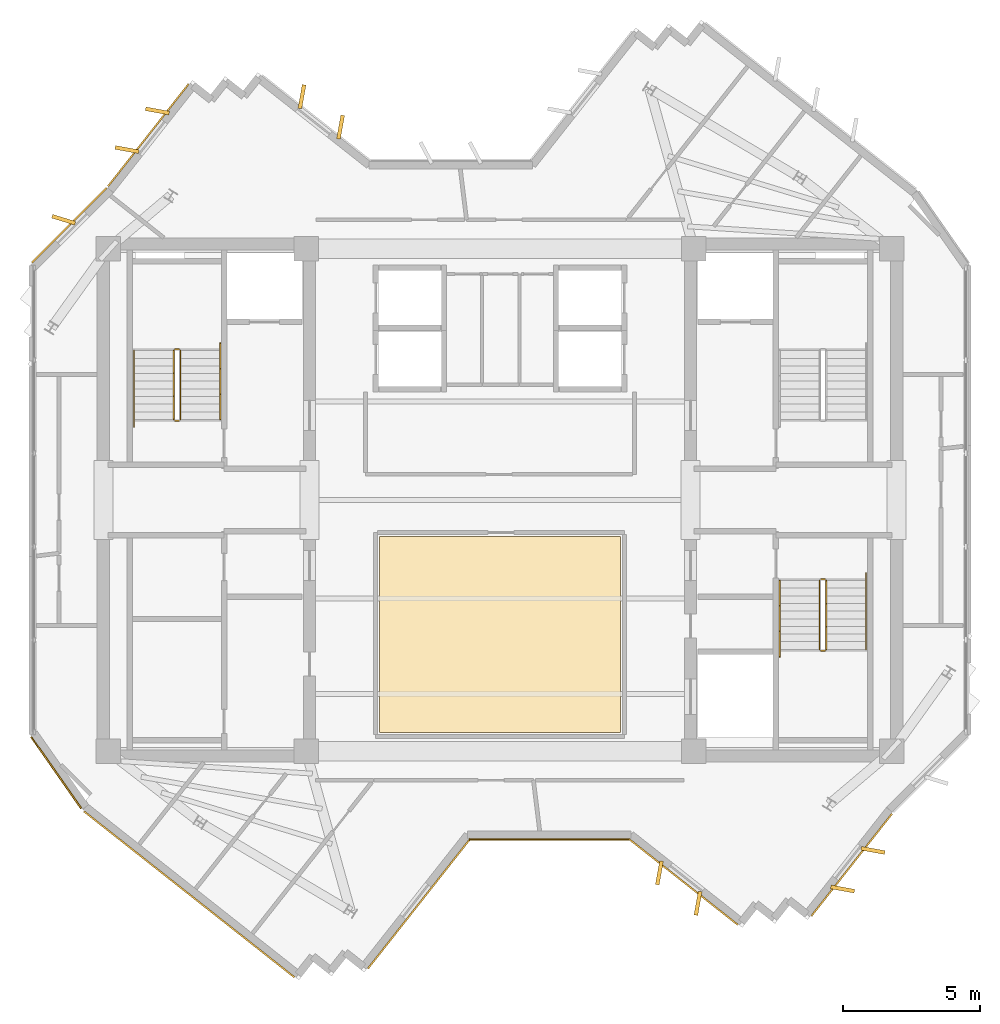
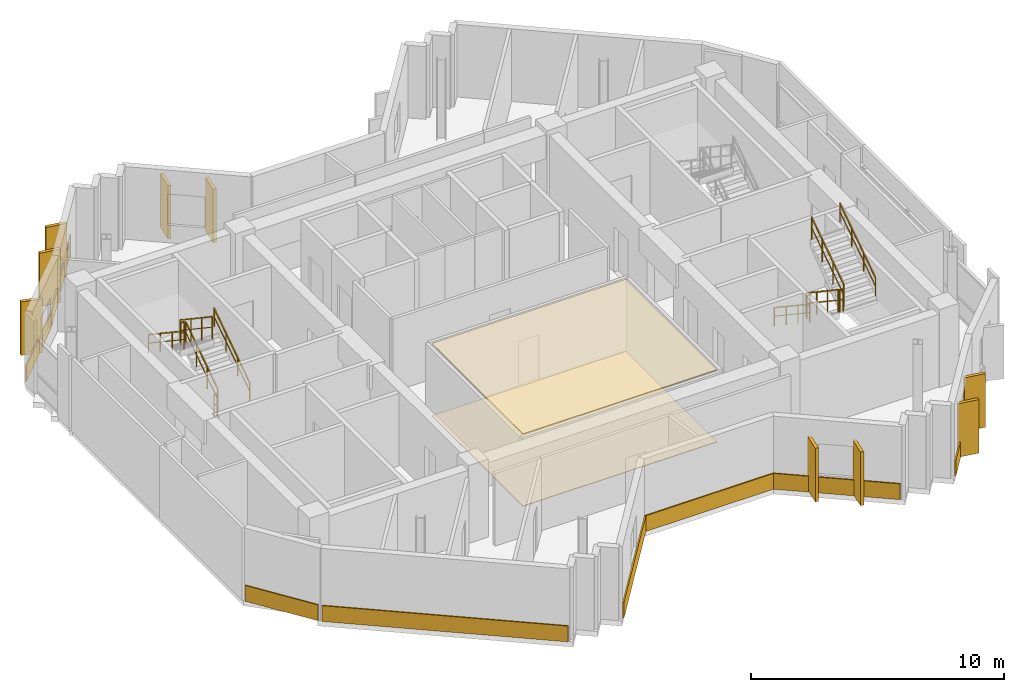
# One storey, part 9 of 10: 19 coverings, 12 railings.
"""IFC4 building model written with IfcOpenShell, lengths in metres."""

from ifc_helpers import new_model, si_unit, direction, frame, origin, origin_2d, place, context, subcontext, project, spatial, polyline, rectangle, outline, extrude, source, transform, mapped, material, layer, layer_set, type_object, element, save


model = new_model("IFC4")

# Units and contexts
model_context = context("Model", 3, precision=1e-05, world=origin(), true_north=direction((0.0, 1.0)))
body_context = subcontext(model_context, "Body", "Model", "MODEL_VIEW")
ifc_project = project(units=[si_unit("LENGTHUNIT", "METRE"), si_unit("AREAUNIT", "SQUARE_METRE"), si_unit("VOLUMEUNIT", "CUBIC_METRE"), si_unit("PLANEANGLEUNIT", "RADIAN"), si_unit("MASSUNIT", "GRAM", prefix="KILO")], contexts=[model_context])

# Site, building, storey
site_placement = place(None, origin())
site = spatial("IfcSite", under=ifc_project, at=site_placement, CompositionType="ELEMENT")
building_placement = place(site_placement, origin())
building = spatial("IfcBuilding", under=site, at=building_placement, Name="Zahravan Cultural Tower", CompositionType="ELEMENT")
storey_placement = place(building_placement, frame((0.0, 0.0, 323.550048828125)))
storey = spatial("IfcBuildingStorey", under=building, at=storey_placement, Name="L78", CompositionType="ELEMENT", Elevation=323.550048828125)

# Coverings
ifc_material_1 = material(Name="Acoustic mineral fibreboard")
ifc_layer_1 = layer(ifc_material_1, 0.0400390625)
ifc_layer_set_1 = layer_set([ifc_layer_1], Name="Acoustic mineral fibreboard")
covering_type_1 = type_object("IfcCoveringType", Name="COV-CEIL-AC20", PredefinedType="CEILING", material=ifc_layer_set_1)
covering_1_placement = place(storey_placement, frame((0.0, 0.0, 3.4599609375)))
element("IfcCovering", 1, at=covering_1_placement, inside=storey, type_object=covering_type_1, Name="L78 Acoustic Suspended Ceiling", PredefinedType="CEILING", context=body_context, shape_type="SweptSolid", body=[
    extrude(outline(polyline([(40.419921875, 25.669921875), (31.580078125, 25.669921875), (31.580078125, 18.47998046875), (40.419921875, 18.47998046875), (40.419921875, 25.669921875)])), origin(), (0.0, 0.0, 1.0), 0.0400390625),
])
ifc_material_2 = material(Name="Terrazzo flooring")
ifc_layer_2 = layer(ifc_material_2, 0.02490234375)
ifc_layer_set_2 = layer_set([ifc_layer_2], Name="Terrazzo flooring")
covering_type_2 = type_object("IfcCoveringType", Name="COV-FLR-TZ25", PredefinedType="FLOORING", material=ifc_layer_set_2)
covering_2_placement = place(storey_placement, origin())
element("IfcCovering", 2, at=covering_2_placement, inside=storey, type_object=covering_type_2, Name="L78 Polished Terrazzo Flooring", PredefinedType="FLOORING", context=body_context, shape_type="SweptSolid", body=[
    extrude(outline(polyline([(40.419921875, 25.669921875), (31.580078125, 25.669921875), (31.580078125, 18.47998046875), (40.419921875, 18.47998046875), (40.419921875, 25.669921875)])), origin(), (0.0, 0.0, 1.0), 0.02490234375),
])

# Railings
ifc_material_3 = material(Name="Steel ASTM A572 Grade 50", Category="steel")
railing_type_1 = type_object("IfcRailingType", Name="RL-STAIR-GRD1150", PredefinedType="BALUSTRADE", material=ifc_material_3)
railing_1_placement = place(storey_placement, frame((24.300048828125, 29.949951171875, 0.1875)))
element("IfcRailing", 3, at=railing_1_placement, inside=storey, type_object=railing_type_1, Name="L78 ST-W1 stair guard 1", PredefinedType="BALUSTRADE", context=body_context, shape_type="SweptSolid", body=[
    extrude(rectangle(XDim=0.05, YDim=0.05, at=origin_2d()), frame((0.0, 0.0, 1.0751953125), z_axis=(0.0, 0.830909170722, 0.55640807867), x_axis=(-1.0, 0.0, 0.0)), (0.0, 0.0, 1.0), 3.032958984375),
    extrude(rectangle(XDim=0.032, YDim=0.032, at=origin_2d()), frame((0.0, 0.0, 0.572021484375), z_axis=(0.0, 0.830909170722, 0.55640807867), x_axis=(-1.0, 0.0, 0.0)), (0.0, 0.0, 1.0), 3.032958984375),
    extrude(rectangle(XDim=0.04, YDim=0.04, at=origin_2d()), origin(), (0.0, 0.0, 1.0), 1.10009765625),
    extrude(rectangle(XDim=0.04, YDim=0.04, at=origin_2d()), frame((0.0, 0.840087890625, 0.5625)), (0.0, 0.0, 1.0), 1.10009765625),
    extrude(rectangle(XDim=0.04, YDim=0.04, at=origin_2d()), frame((0.0, 1.679931640625, 1.125)), (0.0, 0.0, 1.0), 1.10009765625),
    extrude(rectangle(XDim=0.04, YDim=0.04, at=origin_2d()), frame((0.0, 2.52001953125, 1.6875)), (0.0, 0.0, 1.0), 1.10009765625),
])
railing_2_placement = place(storey_placement, frame((24.25, 32.52001953125, 1.875)))
element("IfcRailing", 4, at=railing_2_placement, inside=storey, type_object=railing_type_1, Name="L78 ST-W1 stair guard 2", PredefinedType="BALUSTRADE", context=body_context, shape_type="SweptSolid", body=[
    extrude(rectangle(XDim=0.05, YDim=0.05, at=origin_2d()), frame((0.0, 0.0, 1.0751953125), z_axis=(-1.0, 0.0, 0.0), x_axis=(0.0, -1.0, 0.0)), (0.0, 0.0, 1.0), 0.14990234375),
    extrude(rectangle(XDim=0.032, YDim=0.032, at=origin_2d()), frame((0.0, 0.0, 0.572021484375), z_axis=(-1.0, 0.0, 0.0), x_axis=(0.0, -1.0, 0.0)), (0.0, 0.0, 1.0), 0.14990234375),
    extrude(rectangle(XDim=0.04, YDim=0.04, at=origin_2d()), origin(), (0.0, 0.0, 1.0), 1.10009765625),
    extrude(rectangle(XDim=0.04, YDim=0.04, at=origin_2d()), frame((-0.14990234375, 0.0, 0.0)), (0.0, 0.0, 1.0), 1.10009765625),
])
railing_3_placement = place(storey_placement, frame((24.050048828125, 32.469970703125, 2.0625)))
element("IfcRailing", 5, at=railing_3_placement, inside=storey, type_object=railing_type_1, Name="L78 ST-W1 stair guard 3", PredefinedType="BALUSTRADE", context=body_context, shape_type="SweptSolid", body=[
    extrude(rectangle(XDim=0.05, YDim=0.05, at=origin_2d()), frame((0.0, 0.0, 1.0751953125), z_axis=(0.0, -0.830909170722, 0.55640807867), x_axis=(1.0, 0.0, 0.0)), (0.0, 0.0, 1.0), 3.032958984375),
    extrude(rectangle(XDim=0.032, YDim=0.032, at=origin_2d()), frame((0.0, 0.0, 0.572021484375), z_axis=(0.0, -0.830909170722, 0.55640807867), x_axis=(1.0, 0.0, 0.0)), (0.0, 0.0, 1.0), 3.032958984375),
    extrude(rectangle(XDim=0.04, YDim=0.04, at=origin_2d()), origin(), (0.0, 0.0, 1.0), 1.10009765625),
    extrude(rectangle(XDim=0.04, YDim=0.04, at=origin_2d()), frame((0.0, -0.840087890625, 0.5625)), (0.0, 0.0, 1.0), 1.10009765625),
    extrude(rectangle(XDim=0.04, YDim=0.04, at=origin_2d()), frame((0.0, -1.679931640625, 1.125)), (0.0, 0.0, 1.0), 1.10009765625),
    extrude(rectangle(XDim=0.04, YDim=0.04, at=origin_2d()), frame((0.0, -2.52001953125, 1.6875)), (0.0, 0.0, 1.0), 1.10009765625),
])
railing_4_placement = place(storey_placement, frame((24.25, 29.89990234375, 0.0)))
element("IfcRailing", 6, at=railing_4_placement, inside=storey, type_object=railing_type_1, Name="L78 ST-W1 stair guard 4", PredefinedType="BALUSTRADE", context=body_context, shape_type="SweptSolid", body=[
    extrude(rectangle(XDim=0.05, YDim=0.05, at=origin_2d()), frame((0.0, 0.0, 1.0751953125), z_axis=(-1.0, 0.0, 0.0), x_axis=(0.0, -1.0, 0.0)), (0.0, 0.0, 1.0), 0.14990234375),
    extrude(rectangle(XDim=0.032, YDim=0.032, at=origin_2d()), frame((0.0, 0.0, 0.572021484375), z_axis=(-1.0, 0.0, 0.0), x_axis=(0.0, -1.0, 0.0)), (0.0, 0.0, 1.0), 0.14990234375),
    extrude(rectangle(XDim=0.04, YDim=0.04, at=origin_2d()), origin(), (0.0, 0.0, 1.0), 1.10009765625),
    extrude(rectangle(XDim=0.04, YDim=0.04, at=origin_2d()), frame((-0.14990234375, 0.0, 0.0)), (0.0, 0.0, 1.0), 1.10009765625),
])
railing_5_placement = place(storey_placement, frame((47.699951171875, 24.050048828125, 0.1875)))
element("IfcRailing", 7, at=railing_5_placement, inside=storey, type_object=railing_type_1, Name="L78 ST-E2 stair guard 1", PredefinedType="BALUSTRADE", context=body_context, shape_type="SweptSolid", body=[
    extrude(rectangle(XDim=0.05, YDim=0.05, at=origin_2d()), frame((0.0, 0.0, 1.0751953125), z_axis=(0.0, -0.830909170722, 0.55640807867), x_axis=(1.0, 0.0, 0.0)), (0.0, 0.0, 1.0), 3.032958984375),
    extrude(rectangle(XDim=0.032, YDim=0.032, at=origin_2d()), frame((0.0, 0.0, 0.572021484375), z_axis=(0.0, -0.830909170722, 0.55640807867), x_axis=(1.0, 0.0, 0.0)), (0.0, 0.0, 1.0), 3.032958984375),
    extrude(rectangle(XDim=0.04, YDim=0.04, at=origin_2d()), origin(), (0.0, 0.0, 1.0), 1.10009765625),
    extrude(rectangle(XDim=0.04, YDim=0.04, at=origin_2d()), frame((0.0, -0.840087890625, 0.5625)), (0.0, 0.0, 1.0), 1.10009765625),
    extrude(rectangle(XDim=0.04, YDim=0.04, at=origin_2d()), frame((0.0, -1.679931640625, 1.125)), (0.0, 0.0, 1.0), 1.10009765625),
    extrude(rectangle(XDim=0.04, YDim=0.04, at=origin_2d()), frame((0.0, -2.52001953125, 1.6875)), (0.0, 0.0, 1.0), 1.10009765625),
])
railing_6_placement = place(storey_placement, frame((47.75, 21.47998046875, 1.875)))
element("IfcRailing", 8, at=railing_6_placement, inside=storey, type_object=railing_type_1, Name="L78 ST-E2 stair guard 2", PredefinedType="BALUSTRADE", context=body_context, shape_type="SweptSolid", body=[
    extrude(rectangle(XDim=0.05, YDim=0.05, at=origin_2d()), frame((0.0, 0.0, 1.0751953125), z_axis=(1.0, 0.0, 0.0), x_axis=(0.0, 1.0, 0.0)), (0.0, 0.0, 1.0), 0.14990234375),
    extrude(rectangle(XDim=0.032, YDim=0.032, at=origin_2d()), frame((0.0, 0.0, 0.572021484375), z_axis=(1.0, 0.0, 0.0), x_axis=(0.0, 1.0, 0.0)), (0.0, 0.0, 1.0), 0.14990234375),
    extrude(rectangle(XDim=0.04, YDim=0.04, at=origin_2d()), origin(), (0.0, 0.0, 1.0), 1.10009765625),
    extrude(rectangle(XDim=0.04, YDim=0.04, at=origin_2d()), frame((0.14990234375, 0.0, 0.0)), (0.0, 0.0, 1.0), 1.10009765625),
])
railing_7_placement = place(storey_placement, frame((47.949951171875, 21.530029296875, 2.0625)))
element("IfcRailing", 9, at=railing_7_placement, inside=storey, type_object=railing_type_1, Name="L78 ST-E2 stair guard 3", PredefinedType="BALUSTRADE", context=body_context, shape_type="SweptSolid", body=[
    extrude(rectangle(XDim=0.05, YDim=0.05, at=origin_2d()), frame((0.0, 0.0, 1.0751953125), z_axis=(0.0, 0.830909170722, 0.55640807867), x_axis=(-1.0, 0.0, 0.0)), (0.0, 0.0, 1.0), 3.032958984375),
    extrude(rectangle(XDim=0.032, YDim=0.032, at=origin_2d()), frame((0.0, 0.0, 0.572021484375), z_axis=(0.0, 0.830909170722, 0.55640807867), x_axis=(-1.0, 0.0, 0.0)), (0.0, 0.0, 1.0), 3.032958984375),
    extrude(rectangle(XDim=0.04, YDim=0.04, at=origin_2d()), origin(), (0.0, 0.0, 1.0), 1.10009765625),
    extrude(rectangle(XDim=0.04, YDim=0.04, at=origin_2d()), frame((0.0, 0.840087890625, 0.5625)), (0.0, 0.0, 1.0), 1.10009765625),
    extrude(rectangle(XDim=0.04, YDim=0.04, at=origin_2d()), frame((0.0, 1.679931640625, 1.125)), (0.0, 0.0, 1.0), 1.10009765625),
    extrude(rectangle(XDim=0.04, YDim=0.04, at=origin_2d()), frame((0.0, 2.52001953125, 1.6875)), (0.0, 0.0, 1.0), 1.10009765625),
])
railing_8_placement = place(storey_placement, frame((47.75, 24.10009765625, 0.0)))
element("IfcRailing", 10, at=railing_8_placement, inside=storey, type_object=railing_type_1, Name="L78 ST-E2 stair guard 4", PredefinedType="BALUSTRADE", context=body_context, shape_type="SweptSolid", body=[
    extrude(rectangle(XDim=0.05, YDim=0.05, at=origin_2d()), frame((0.0, 0.0, 1.0751953125), z_axis=(1.0, 0.0, 0.0), x_axis=(0.0, 1.0, 0.0)), (0.0, 0.0, 1.0), 0.14990234375),
    extrude(rectangle(XDim=0.032, YDim=0.032, at=origin_2d()), frame((0.0, 0.0, 0.572021484375), z_axis=(1.0, 0.0, 0.0), x_axis=(0.0, 1.0, 0.0)), (0.0, 0.0, 1.0), 0.14990234375),
    extrude(rectangle(XDim=0.04, YDim=0.04, at=origin_2d()), origin(), (0.0, 0.0, 1.0), 1.10009765625),
    extrude(rectangle(XDim=0.04, YDim=0.04, at=origin_2d()), frame((0.14990234375, 0.0, 0.0)), (0.0, 0.0, 1.0), 1.10009765625),
])
railing_type_2 = type_object("IfcRailingType", Name="RL-STAIR-HR900", PredefinedType="HANDRAIL", material=ifc_material_3)
railing_9_placement = place(storey_placement, frame((25.75, 29.949951171875, 0.1875)))
element("IfcRailing", 11, at=railing_9_placement, inside=storey, type_object=railing_type_2, Name="L78 ST-W1 stair handrail 1", PredefinedType="HANDRAIL", context=body_context, shape_type="SweptSolid", body=[
    extrude(rectangle(XDim=0.05, YDim=0.05, at=origin_2d()), frame((0.0, 0.0, 0.875), z_axis=(0.0, 0.830911662861, 0.55640435703), x_axis=(-1.0, 0.0, 0.0)), (0.0, 0.0, 1.0), 3.369873046875),
    extrude(rectangle(XDim=0.032, YDim=0.032, at=origin_2d()), frame((0.0, 0.0, 0.468017578125), z_axis=(0.0, 0.830911662861, 0.55640435703), x_axis=(-1.0, 0.0, 0.0)), (0.0, 0.0, 1.0), 3.369873046875),
    extrude(rectangle(XDim=0.04, YDim=0.04, at=origin_2d()), origin(), (0.0, 0.0, 1.0), 0.89990234375),
    extrude(rectangle(XDim=0.04, YDim=0.04, at=origin_2d()), frame((0.0, 0.933349609375, 0.625)), (0.0, 0.0, 1.0), 0.89990234375),
    extrude(rectangle(XDim=0.04, YDim=0.04, at=origin_2d()), frame((0.0, 1.86669921875, 1.25)), (0.0, 0.0, 1.0), 0.89990234375),
    extrude(rectangle(XDim=0.04, YDim=0.04, at=origin_2d()), frame((0.0, 2.800048828125, 1.875)), (0.0, 0.0, 1.0), 0.89990234375),
])
for number, where, name in (
    (12, (22.60009765625, 32.469970703125, 2.0625), "L78 ST-W1 stair handrail 2"),
    (13, (46.25, 24.050048828125, 0.1875), "L78 ST-E2 stair handrail 1"),
):
    element("IfcRailing", number, at=place(storey_placement, frame(where)), inside=storey, type_object=railing_type_2, Name=name, PredefinedType="HANDRAIL", context=body_context, shape_type="SweptSolid", body=[
        extrude(rectangle(XDim=0.05, YDim=0.05, at=origin_2d()), frame((0.0, 0.0, 0.875), z_axis=(0.0, -0.830911662861, 0.55640435703), x_axis=(1.0, 0.0, 0.0)), (0.0, 0.0, 1.0), 3.369873046875),
        extrude(rectangle(XDim=0.032, YDim=0.032, at=origin_2d()), frame((0.0, 0.0, 0.468017578125), z_axis=(0.0, -0.830911662861, 0.55640435703), x_axis=(1.0, 0.0, 0.0)), (0.0, 0.0, 1.0), 3.369873046875),
        extrude(rectangle(XDim=0.04, YDim=0.04, at=origin_2d()), origin(), (0.0, 0.0, 1.0), 0.89990234375),
        extrude(rectangle(XDim=0.04, YDim=0.04, at=origin_2d()), frame((0.0, -0.933349609375, 0.625)), (0.0, 0.0, 1.0), 0.89990234375),
        extrude(rectangle(XDim=0.04, YDim=0.04, at=origin_2d()), frame((0.0, -1.86669921875, 1.25)), (0.0, 0.0, 1.0), 0.89990234375),
        extrude(rectangle(XDim=0.04, YDim=0.04, at=origin_2d()), frame((0.0, -2.800048828125, 1.875)), (0.0, 0.0, 1.0), 0.89990234375),
    ])
railing_10_placement = place(storey_placement, frame((49.39990234375, 21.530029296875, 2.0625)))
element("IfcRailing", 14, at=railing_10_placement, inside=storey, type_object=railing_type_2, Name="L78 ST-E2 stair handrail 2", PredefinedType="HANDRAIL", context=body_context, shape_type="SweptSolid", body=[
    extrude(rectangle(XDim=0.05, YDim=0.05, at=origin_2d()), frame((0.0, 0.0, 0.875), z_axis=(0.0, 0.830911662861, 0.55640435703), x_axis=(-1.0, 0.0, 0.0)), (0.0, 0.0, 1.0), 3.369873046875),
    extrude(rectangle(XDim=0.032, YDim=0.032, at=origin_2d()), frame((0.0, 0.0, 0.468017578125), z_axis=(0.0, 0.830911662861, 0.55640435703), x_axis=(-1.0, 0.0, 0.0)), (0.0, 0.0, 1.0), 3.369873046875),
    extrude(rectangle(XDim=0.04, YDim=0.04, at=origin_2d()), origin(), (0.0, 0.0, 1.0), 0.89990234375),
    extrude(rectangle(XDim=0.04, YDim=0.04, at=origin_2d()), frame((0.0, 0.933349609375, 0.625)), (0.0, 0.0, 1.0), 0.89990234375),
    extrude(rectangle(XDim=0.04, YDim=0.04, at=origin_2d()), frame((0.0, 1.86669921875, 1.25)), (0.0, 0.0, 1.0), 0.89990234375),
    extrude(rectangle(XDim=0.04, YDim=0.04, at=origin_2d()), frame((0.0, 2.800048828125, 1.875)), (0.0, 0.0, 1.0), 0.89990234375),
])

# Coverings
ifc_material_4 = material(Name="Terracotta ceramic cladding", Category="masonry")
ifc_layer_3 = layer(ifc_material_4, 0.06005859375)
ifc_layer_set_3 = layer_set([ifc_layer_3], Name="Terracotta ceramic cladding")
covering_type_3 = type_object("IfcCoveringType", Name="COV-CLAD-TC60", PredefinedType="CLADDING", material=ifc_layer_set_3)
shared_shape_1 = source(origin(), body_context, "Body", "SweptSolid", [
    extrude(rectangle(XDim=9.820068359375, YDim=0.06005859375, at=origin_2d()), origin(), (0.0, 0.0, 1.0), 0.760009765625),
])
covering_3_placement = place(storey_placement, frame((24.617919921875, 12.56201171875, 0.02001953125), z_axis=(0.0, 0.0, 1.0), x_axis=(-0.785316930881, 0.61909394931, 0.0)))
element("IfcCovering", 15, at=covering_3_placement, inside=storey, type_object=covering_type_3, Name="L78 Terracotta Spandrel Cladding 29", PredefinedType="CLADDING", context=body_context, shape_type="MappedRepresentation", body=[
    mapped(shared_shape_1, transform((0.0, 0.0, 0.0), x_axis=(1.0, 0.0, 0.0), y_axis=(0.0, 1.0, 0.0), z_axis=(0.0, 0.0, 1.0), scale=1.0)),
])
shared_shape_2 = source(origin(), body_context, "Body", "SweptSolid", [
    extrude(rectangle(XDim=0.8798828125, YDim=0.139892578125, at=origin_2d()), origin(), (0.0, 0.0, 1.0), 2.580078125),
])
for number, where, z_axis, x_axis, name in (
    (16, (20.023193359375, 37.261474609375, 0.0498046875), (0.0, 0.0, 1.0), (-0.956304755963, 0.292371704723, 0.0), "L78 Herringbone Terracotta Fin 01"),
    (17, (22.341796875, 39.83154296875, 0.0498046875), (0.0, 0.0, 1.0), (-0.984040697646, 0.177943545474, 0.0), "L78 Herringbone Terracotta Fin 02"),
    (18, (23.456298828125, 41.2451171875, 0.0498046875), (0.0, 0.0, 1.0), (-0.984040697646, 0.177943545474, 0.0), "L78 Herringbone Terracotta Fin 03"),
    (19, (28.749755859375, 41.769287109375, 0.0498046875), (0.0, 0.0, 1.0), (0.177943545474, 0.984040697646, 0.0), "L78 Herringbone Terracotta Fin 04"),
    (20, (30.163330078125, 40.655029296875, 0.0498046875), (0.0, 0.0, 1.0), (0.177943545474, 0.984040697646, 0.0), "L78 Herringbone Terracotta Fin 05"),
    (21, (49.658203125, 14.16845703125, 0.0498046875), (0.0, 0.0, 1.0), (0.984040697646, -0.177943545474, 0.0), "L78 Herringbone Terracotta Fin 14"),
    (22, (48.543701171875, 12.7548828125, 0.0498046875), (0.0, 0.0, 1.0), (0.984040697646, -0.177943545474, 0.0), "L78 Herringbone Terracotta Fin 15"),
    (23, (43.250244140625, 12.230712890625, 0.0498046875), (0.0, 0.0, 1.0), (-0.177943545474, -0.984040697646, 0.0), "L78 Herringbone Terracotta Fin 16"),
    (24, (41.836669921875, 13.344970703125, 0.0498046875), (0.0, 0.0, 1.0), (-0.177943545474, -0.984040697646, 0.0), "L78 Herringbone Terracotta Fin 17"),
):
    element("IfcCovering", number, at=place(storey_placement, frame(where, z_axis=z_axis, x_axis=x_axis)), inside=storey, type_object=covering_type_3, Name=name, PredefinedType="CLADDING", context=body_context, shape_type="MappedRepresentation", body=[
        mapped(shared_shape_2, transform((0.0, 0.0, 0.0), x_axis=(1.0, 0.0, 0.0), y_axis=(0.0, 1.0, 0.0), z_axis=(0.0, 0.0, 1.0), scale=1.0)),
    ])
shared_shape_3 = source(origin(), body_context, "Body", "SweptSolid", [
    extrude(rectangle(XDim=3.86328125, YDim=0.06005859375, at=origin_2d()), origin(), (0.0, 0.0, 1.0), 0.760009765625),
])
covering_4_placement = place(storey_placement, frame((20.224609375, 37.059814453125, 0.02001953125), z_axis=(0.0, 0.0, 1.0), x_axis=(0.707106781187, 0.707106781187, 0.0)))
element("IfcCovering", 25, at=covering_4_placement, inside=storey, type_object=covering_type_3, Name="L78 Terracotta Spandrel Cladding 01", PredefinedType="CLADDING", context=body_context, shape_type="MappedRepresentation", body=[
    mapped(shared_shape_3, transform((0.0, 0.0, 0.0), x_axis=(1.0, 0.0, 0.0), y_axis=(0.0, 1.0, 0.0), z_axis=(0.0, 0.0, 1.0), scale=1.0)),
])
shared_shape_4 = source(origin(), body_context, "Body", "SweptSolid", [
    extrude(rectangle(XDim=4.77783203125, YDim=0.06005859375, at=origin_2d()), origin(), (0.0, 0.0, 1.0), 0.760009765625),
])
for number, where, z_axis, x_axis, name in (
    (26, (23.122802734375, 40.362060546875, 0.02001953125), (0.0, 0.0, 1.0), (0.61909394931, 0.785316930881, 0.0), "L78 Terracotta Spandrel Cladding 02"),
    (27, (48.877197265625, 13.637939453125, 0.02001953125), (0.0, 0.0, 1.0), (-0.61909394931, -0.785316930881, 0.0), "L78 Terracotta Spandrel Cladding 17"),
):
    element("IfcCovering", number, at=place(storey_placement, frame(where, z_axis=z_axis, x_axis=x_axis)), inside=storey, type_object=covering_type_3, Name=name, PredefinedType="CLADDING", context=body_context, shape_type="MappedRepresentation", body=[
        mapped(shared_shape_4, transform((0.0, 0.0, 0.0), x_axis=(1.0, 0.0, 0.0), y_axis=(0.0, 1.0, 0.0), z_axis=(0.0, 0.0, 1.0), scale=1.0)),
    ])
shared_shape_5 = source(origin(), body_context, "Body", "SweptSolid", [
    extrude(rectangle(XDim=5.065185546875, YDim=0.06005859375, at=origin_2d()), origin(), (0.0, 0.0, 1.0), 0.760009765625),
])
covering_5_placement = place(storey_placement, frame((42.719970703125, 13.01171875, 0.02001953125), z_axis=(0.0, 0.0, 1.0), x_axis=(-0.785316930881, 0.61909394931, 0.0)))
element("IfcCovering", 28, at=covering_5_placement, inside=storey, type_object=covering_type_3, Name="L78 Terracotta Spandrel Cladding 22", PredefinedType="CLADDING", context=body_context, shape_type="MappedRepresentation", body=[
    mapped(shared_shape_5, transform((0.0, 0.0, 0.0), x_axis=(1.0, 0.0, 0.0), y_axis=(0.0, 1.0, 0.0), z_axis=(0.0, 0.0, 1.0), scale=1.0)),
])
shared_shape_6 = source(origin(), body_context, "Body", "SweptSolid", [
    extrude(rectangle(XDim=5.87841796875, YDim=0.06005859375, at=origin_2d()), origin(), (0.0, 0.0, 1.0), 0.760009765625),
])
covering_6_placement = place(storey_placement, frame((37.8046875, 14.574951171875, 0.02001953125), z_axis=(0.0, 0.0, 1.0), x_axis=(-1.0, 0.0, 0.0)))
element("IfcCovering", 29, at=covering_6_placement, inside=storey, type_object=covering_type_3, Name="L78 Terracotta Spandrel Cladding 23", PredefinedType="CLADDING", context=body_context, shape_type="MappedRepresentation", body=[
    mapped(shared_shape_6, transform((0.0, 0.0, 0.0), x_axis=(1.0, 0.0, 0.0), y_axis=(0.0, 1.0, 0.0), z_axis=(0.0, 0.0, 1.0), scale=1.0)),
])
shared_shape_7 = source(origin(), body_context, "Body", "SweptSolid", [
    extrude(rectangle(XDim=6.058837890625, YDim=0.06005859375, at=origin_2d()), origin(), (0.0, 0.0, 1.0), 0.760009765625),
])
covering_7_placement = place(storey_placement, frame((33.038818359375, 12.219482421875, 0.02001953125), z_axis=(0.0, 0.0, 1.0), x_axis=(-0.61909394931, -0.785316930881, 0.0)))
element("IfcCovering", 30, at=covering_7_placement, inside=storey, type_object=covering_type_3, Name="L78 Terracotta Spandrel Cladding 24", PredefinedType="CLADDING", context=body_context, shape_type="MappedRepresentation", body=[
    mapped(shared_shape_7, transform((0.0, 0.0, 0.0), x_axis=(1.0, 0.0, 0.0), y_axis=(0.0, 1.0, 0.0), z_axis=(0.0, 0.0, 1.0), scale=1.0)),
])
shared_shape_8 = source(origin(), body_context, "Body", "SweptSolid", [
    extrude(rectangle(XDim=3.189208984375, YDim=0.06005859375, at=origin_2d()), origin(), (0.0, 0.0, 1.0), 0.760009765625),
])
covering_8_placement = place(storey_placement, frame((19.747314453125, 17.015625, 0.02001953125), z_axis=(0.0, 0.0, 1.0), x_axis=(-0.573033028033, 0.8195322744, 0.0)))
element("IfcCovering", 31, at=covering_8_placement, inside=storey, type_object=covering_type_3, Name="L78 Terracotta Spandrel Cladding 30", PredefinedType="CLADDING", context=body_context, shape_type="MappedRepresentation", body=[
    mapped(shared_shape_8, transform((0.0, 0.0, 0.0), x_axis=(1.0, 0.0, 0.0), y_axis=(0.0, 1.0, 0.0), z_axis=(0.0, 0.0, 1.0), scale=1.0)),
])

save(model, "model.ifc")
